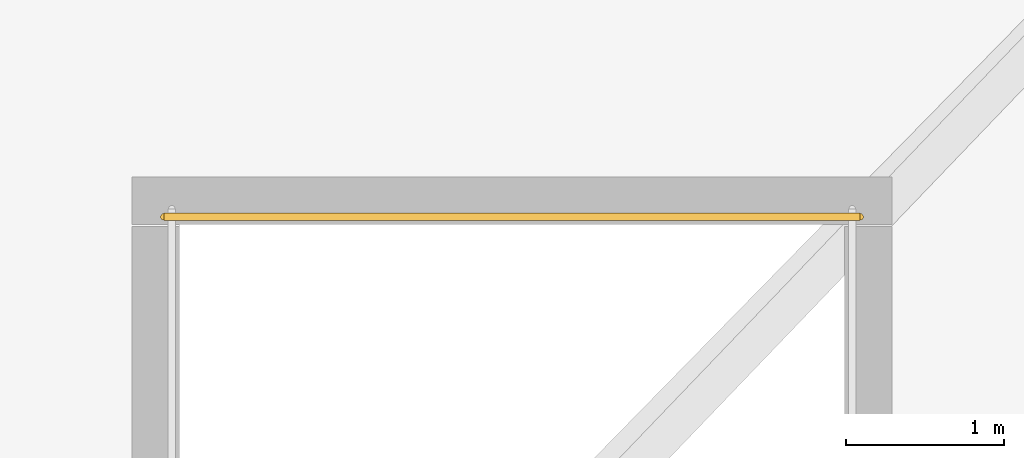
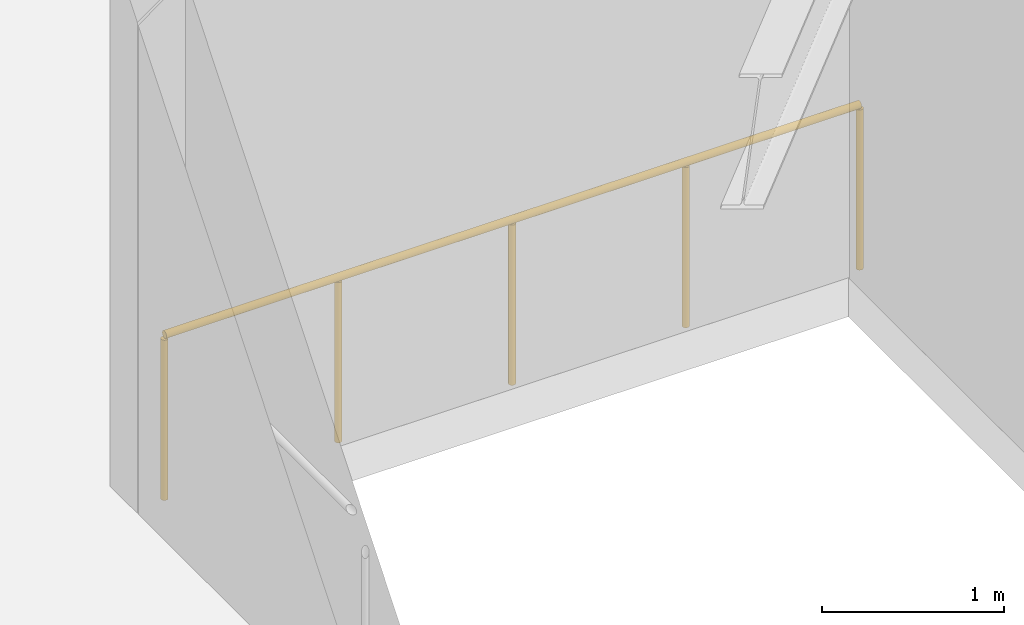
# One storey, part 50 of 50: 1 railing.
"""IFC4 building model written with IfcOpenShell, lengths in metres."""

from ifc_helpers import new_model, si_unit, direction, frame, origin, origin_2d, place, context, subcontext, project, spatial, circle, extrude, material, layer, layer_set, type_object, element, save


model = new_model("IFC4")

# Units and contexts
model_context = context("Model", 3, precision=1e-05, world=origin(), true_north=direction((0.0, 1.0)))
body_context = subcontext(model_context, "Body", "Model", "MODEL_VIEW")
ifc_project = project(units=[si_unit("LENGTHUNIT", "METRE"), si_unit("AREAUNIT", "SQUARE_METRE"), si_unit("VOLUMEUNIT", "CUBIC_METRE"), si_unit("PLANEANGLEUNIT", "RADIAN"), si_unit("MASSUNIT", "GRAM", prefix="KILO")], contexts=[model_context])

# Site, building, storey
site_placement = place(None, origin())
site = spatial("IfcSite", under=ifc_project, at=site_placement, CompositionType="ELEMENT")
building_placement = place(site_placement, origin())
building = spatial("IfcBuilding", under=site, at=building_placement, Name="Sarnbrook Museum", CompositionType="ELEMENT")
storey_placement = place(building_placement, frame((0.0, 0.0, 28.10009765625)))
storey = spatial("IfcBuildingStorey", under=building, at=storey_placement, Name="L05", CompositionType="ELEMENT", Elevation=28.10009765625)

# Railing
ifc_material = material(Name="Brushed Stainless Steel Grade 316", Category="steel")
ifc_layer = layer(ifc_material, 0.050048828125)
ifc_layer_set = layer_set([ifc_layer], Name="Brushed Stainless Steel Grade 316")
railing_type = type_object("IfcRailingType", Name="Guard_Int1120", PredefinedType="BALUSTRADE", material=ifc_layer_set)
railing_placement = place(storey_placement, frame((146.0, 89.949951171875, 0.0)))
element("IfcRailing", 1, at=railing_placement, inside=storey, type_object=railing_type, Name="L05 ST7 top well guard 4", PredefinedType="BALUSTRADE", context=body_context, shape_type="SweptSolid", body=[
    extrude(circle(Radius=0.02392578125, at=origin_2d()), frame((0.0, 0.0, 1.09619140625), z_axis=(-1.0, 0.0, 0.0), x_axis=(0.0, -1.0, 0.0)), (0.0, 0.0, 1.0), 4.39990234375),
    extrude(circle(Radius=0.02099609375, at=origin_2d()), origin(), (0.0, 0.0, 1.0), 1.072021484375),
    extrude(circle(Radius=0.02099609375, at=origin_2d()), frame((-1.10009765625, 0.0, 0.0)), (0.0, 0.0, 1.0), 1.072021484375),
    extrude(circle(Radius=0.02099609375, at=origin_2d()), frame((-2.199951171875, 0.0, 0.0)), (0.0, 0.0, 1.0), 1.072021484375),
    extrude(circle(Radius=0.02099609375, at=origin_2d()), frame((-3.2998046875, 0.0, 0.0)), (0.0, 0.0, 1.0), 1.072021484375),
    extrude(circle(Radius=0.02099609375, at=origin_2d()), frame((-4.39990234375, 0.0, 0.0)), (0.0, 0.0, 1.0), 1.072021484375),
])

save(model, "model.ifc")
